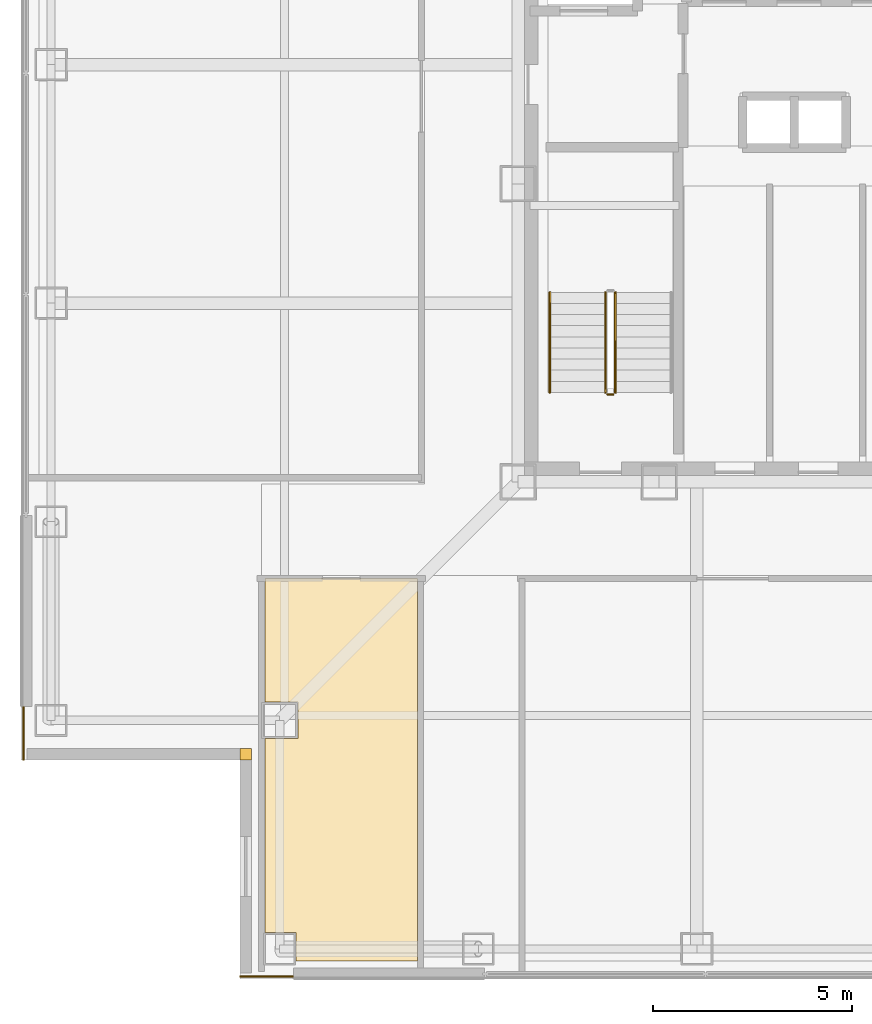
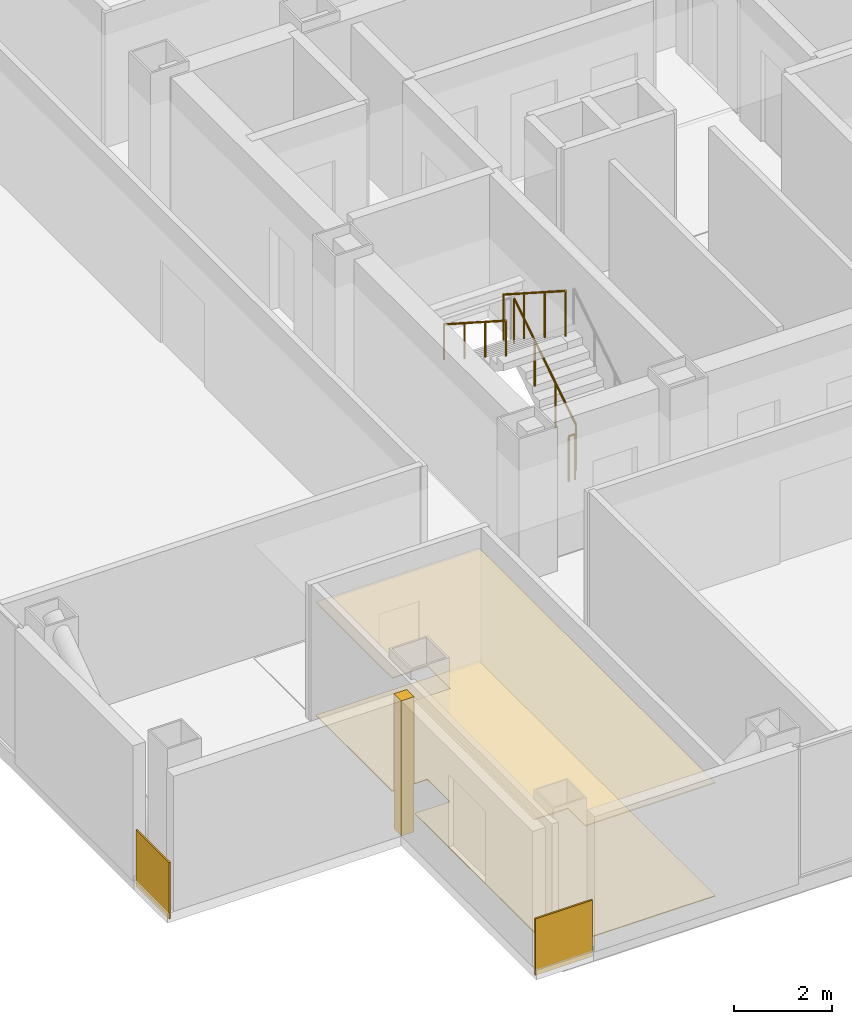
# One storey, part 12 of 17: 5 coverings, 4 railings.
"""IFC4 building model written with IfcOpenShell, lengths in metres."""

from ifc_helpers import new_model, si_unit, direction, frame, frame_2d, origin, origin_2d, place, context, subcontext, project, spatial, polyline, rectangle, circle, outline, extrude, material, layer, layer_set, type_object, element, save


model = new_model("IFC4")

# Units and contexts
model_context = context("Model", 3, precision=1e-05, world=origin(), true_north=direction((0.0, 1.0)))
body_context = subcontext(model_context, "Body", "Model", "MODEL_VIEW")
ifc_project = project(units=[si_unit("LENGTHUNIT", "METRE"), si_unit("AREAUNIT", "SQUARE_METRE"), si_unit("VOLUMEUNIT", "CUBIC_METRE"), si_unit("PLANEANGLEUNIT", "RADIAN"), si_unit("MASSUNIT", "GRAM", prefix="KILO")], contexts=[model_context])

# Site, building, storey
site_placement = place(None, origin())
site = spatial("IfcSite", under=ifc_project, at=site_placement, CompositionType="ELEMENT")
building_placement = place(site_placement, origin())
building = spatial("IfcBuilding", under=site, at=building_placement, Name="Trevonay Congress Spire", CompositionType="ELEMENT")
storey_placement = place(building_placement, frame((0.0, 0.0, 191.39990234375)))
storey = spatial("IfcBuildingStorey", under=building, at=storey_placement, Name="L49", CompositionType="ELEMENT", Elevation=191.39990234375)

# Coverings
ifc_material_1 = material(Name="Acoustic Mineral Fibre Board", Category="gypsum")
ifc_layer_1 = layer(ifc_material_1, 0.02490234375, Name="Acoustic Mineral Fibre Board")
ifc_layer_set_1 = layer_set([ifc_layer_1], Name="Acoustic Mineral Fibre Board")
covering_type_1 = type_object("IfcCoveringType", Name="COV-CEIL-ACOUSTIC", PredefinedType="CEILING", material=ifc_layer_set_1)
covering_1_placement = place(storey_placement, frame((0.0, 0.0, 2.81005859375)))
element("IfcCovering", 1, at=covering_1_placement, inside=storey, type_object=covering_type_1, Name="L49 Sommelier Wine Tasting Cellar acoustic suspended ceiling", PredefinedType="CEILING", context=body_context, shape_type="SweptSolid", body=[
    extrude(outline(polyline([(-13.8701171875, -9.929931640625), (-10.030029296875, -9.929931640625), (-10.030029296875, -19.550048828125), (-13.090087890625, -19.550048828125), (-13.090087890625, -18.840087890625), (-13.8701171875, -18.840087890625), (-13.8701171875, -13.9599609375), (-13.0400390625, -13.9599609375), (-13.0400390625, -13.0400390625), (-13.8701171875, -13.0400390625), (-13.8701171875, -9.929931640625)])), origin(), (0.0, 0.0, 1.0), 0.025146484375),
])
ifc_material_2 = material(Name="Polished Granite Floor Tile", Category="masonry")
ifc_layer_2 = layer(ifc_material_2, 0.02001953125, Name="Polished Granite Floor Tile")
ifc_layer_set_2 = layer_set([ifc_layer_2], Name="Polished Granite Floor Tile")
covering_type_2 = type_object("IfcCoveringType", Name="COV-FLOOR-STONE", PredefinedType="FLOORING", material=ifc_layer_set_2)
covering_2_placement = place(storey_placement, origin())
element("IfcCovering", 2, at=covering_2_placement, inside=storey, type_object=covering_type_2, Name="L49 Sommelier Wine Tasting Cellar floor finish", PredefinedType="FLOORING", context=body_context, shape_type="SweptSolid", body=[
    extrude(outline(polyline([(-13.8701171875, -9.929931640625), (-10.030029296875, -9.929931640625), (-10.030029296875, -19.550048828125), (-13.090087890625, -19.550048828125), (-13.090087890625, -18.840087890625), (-13.8701171875, -18.840087890625), (-13.8701171875, -13.9599609375), (-13.0400390625, -13.9599609375), (-13.0400390625, -13.0400390625), (-13.8701171875, -13.0400390625), (-13.8701171875, -9.929931640625)])), origin(), (0.0, 0.0, 1.0), 0.02001953125),
])
ifc_material_3 = material(Name="Pale Anodised Aluminium EN AW-6063-T6", Category="aluminium")
ifc_layer_3 = layer(ifc_material_3, 0.0400390625, Name="Pale Anodised Aluminium EN AW-6063-T6")
ifc_layer_set_3 = layer_set([ifc_layer_3], Name="Pale Anodised Aluminium EN AW-6063-T6")
covering_type_3 = type_object("IfcCoveringType", Name="COV-SPANDREL-PALE-METAL", PredefinedType="CLADDING", material=ifc_layer_set_3)
covering_3_placement = place(storey_placement, origin())
element("IfcCovering", 3, at=covering_3_placement, inside=storey, type_object=covering_type_3, Name="L49 SW re-entrant notch corner closure trim", PredefinedType="CLADDING", context=body_context, shape_type="SweptSolid", body=[
    extrude(outline(polyline([(-14.5, -14.5), (-14.199951171875, -14.5), (-14.199951171875, -14.199951171875), (-14.5, -14.199951171875), (-14.5, -14.5)])), origin(), (0.0, 0.0, 1.0), 3.360107421875),
])
for number, where, z_axis, x_axis, name in (
    (4, (-19.93994140625, -13.14990234375, -0.14990234375), (0.0, 0.0, 1.0), (0.0, -1.0, 0.0), "L49 SW corner pier spandrel cladding 1"),
    (5, (-13.14990234375, -19.93994140625, -0.14990234375), (0.0, 0.0, 1.0), (-1.0, 0.0, 0.0), "L49 SW corner pier spandrel cladding 2"),
):
    element("IfcCovering", number, at=place(storey_placement, frame(where, z_axis=z_axis, x_axis=x_axis)), inside=storey, type_object=covering_type_3, Name=name, PredefinedType="CLADDING", context=body_context, shape_type="SweptSolid", body=[
        extrude(rectangle(XDim=1.35009765625, YDim=0.0400390625, at=frame_2d((0.675048828125, 0.0))), origin(), (0.0, 0.0, 1.0), 1.39990234375),
    ])

# Railings
railing_type_1 = type_object("IfcRailingType", Name="RAL-STAIR-GUARD-110", PredefinedType="GUARDRAIL", material=ifc_material_3)
railing_1_placement = place(storey_placement, frame((-5.050048828125, -5.25, 0.18017578125)))
element("IfcRailing", 6, at=railing_1_placement, inside=storey, type_object=railing_type_1, Name="L49 ST-1 stair guard 1", PredefinedType="GUARDRAIL", context=body_context, shape_type="SweptSolid", body=[
    extrude(circle(Radius=0.02392578125, at=origin_2d()), frame((0.0, 0.0, 1.1259765625), z_axis=(0.0, 0.841199657755, 0.540724639528), x_axis=(-1.0, 0.0, 0.0)), (0.0, 0.0, 1.0), 2.995849609375),
    extrude(circle(Radius=0.02099609375, at=origin_2d()), origin(), (0.0, 0.0, 1.0), 1.101806640625),
    extrude(circle(Radius=0.02099609375, at=origin_2d()), frame((0.0, 0.840087890625, 0.5400390625)), (0.0, 0.0, 1.0), 1.101806640625),
    extrude(circle(Radius=0.02099609375, at=origin_2d()), frame((0.0, 1.679931640625, 1.079833984375)), (0.0, 0.0, 1.0), 1.101806640625),
    extrude(circle(Radius=0.02099609375, at=origin_2d()), frame((0.0, 2.52001953125, 1.619873046875)), (0.0, 0.0, 1.0), 1.101806640625),
])
railing_2_placement = place(storey_placement, frame((-5.300048828125, -2.72998046875, 1.97998046875)))
element("IfcRailing", 7, at=railing_2_placement, inside=storey, type_object=railing_type_1, Name="L49 ST-1 stair guard 3", PredefinedType="GUARDRAIL", context=body_context, shape_type="SweptSolid", body=[
    extrude(circle(Radius=0.02392578125, at=origin_2d()), frame((0.0, 0.0, 1.1259765625), z_axis=(0.0, -0.841162588446, 0.540782303519), x_axis=(1.0, 0.0, 0.0)), (0.0, 0.0, 1.0), 2.995849609375),
    extrude(circle(Radius=0.02099609375, at=origin_2d()), origin(), (0.0, 0.0, 1.0), 1.101806640625),
    extrude(circle(Radius=0.02099609375, at=origin_2d()), frame((0.0, -0.840087890625, 0.5400390625)), (0.0, 0.0, 1.0), 1.101806640625),
    extrude(circle(Radius=0.02099609375, at=origin_2d()), frame((0.0, -1.679931640625, 1.080078125)), (0.0, 0.0, 1.0), 1.101806640625),
    extrude(circle(Radius=0.02099609375, at=origin_2d()), frame((0.0, -2.52001953125, 1.6201171875)), (0.0, 0.0, 1.0), 1.101806640625),
])
railing_3_placement = place(storey_placement, frame((-5.10009765625, -5.300048828125, 0.0)))
element("IfcRailing", 8, at=railing_3_placement, inside=storey, type_object=railing_type_1, Name="L49 ST-1 stair guard 4", PredefinedType="GUARDRAIL", context=body_context, shape_type="SweptSolid", body=[
    extrude(circle(Radius=0.02392578125, at=origin_2d()), frame((0.0, 0.0, 1.1259765625), z_axis=(-1.0, 0.0, 0.0), x_axis=(0.0, -1.0, 0.0)), (0.0, 0.0, 1.0), 0.14990234375),
    extrude(circle(Radius=0.02099609375, at=origin_2d()), origin(), (0.0, 0.0, 1.0), 1.101806640625),
    extrude(circle(Radius=0.02099609375, at=origin_2d()), frame((-0.14990234375, 0.0, 0.0)), (0.0, 0.0, 1.0), 1.101806640625),
])
railing_type_2 = type_object("IfcRailingType", Name="RAL-STAIR-HANDRAIL", PredefinedType="HANDRAIL", material=ifc_material_3)
railing_4_placement = place(storey_placement, frame((-6.699951171875, -2.72998046875, 1.97998046875)))
element("IfcRailing", 9, at=railing_4_placement, inside=storey, type_object=railing_type_2, Name="L49 ST-1 stair handrail 2", PredefinedType="HANDRAIL", context=body_context, shape_type="SweptSolid", body=[
    extrude(circle(Radius=0.02392578125, at=origin_2d()), frame((0.0, 0.0, 0.8759765625), z_axis=(0.0, -0.841162588446, 0.540782303519), x_axis=(1.0, 0.0, 0.0)), (0.0, 0.0, 1.0), 2.995849609375),
    extrude(circle(Radius=0.02099609375, at=origin_2d()), origin(), (0.0, 0.0, 1.0), 0.851806640625),
    extrude(circle(Radius=0.02099609375, at=origin_2d()), frame((0.0, -0.840087890625, 0.5400390625)), (0.0, 0.0, 1.0), 0.851806640625),
    extrude(circle(Radius=0.02099609375, at=origin_2d()), frame((0.0, -1.679931640625, 1.080078125)), (0.0, 0.0, 1.0), 0.851806640625),
    extrude(circle(Radius=0.02099609375, at=origin_2d()), frame((0.0, -2.52001953125, 1.6201171875)), (0.0, 0.0, 1.0), 0.851806640625),
])

save(model, "model.ifc")
